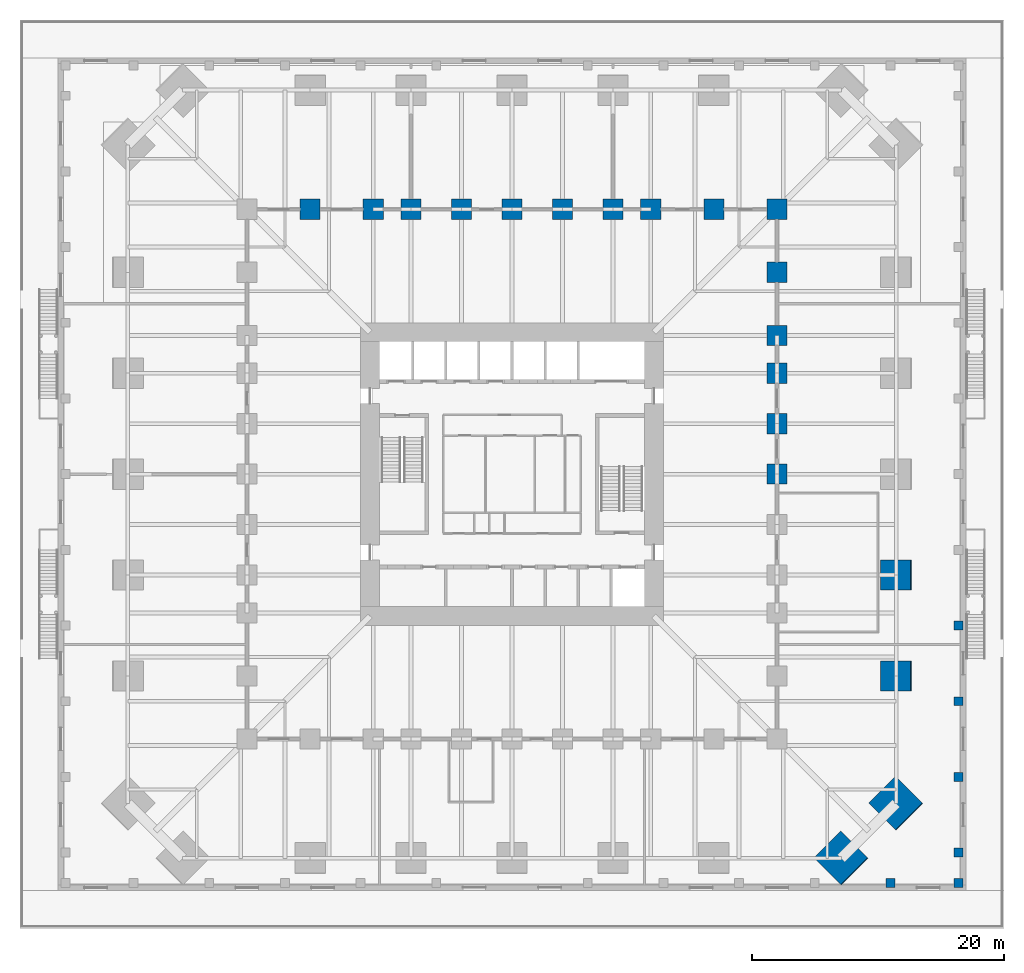
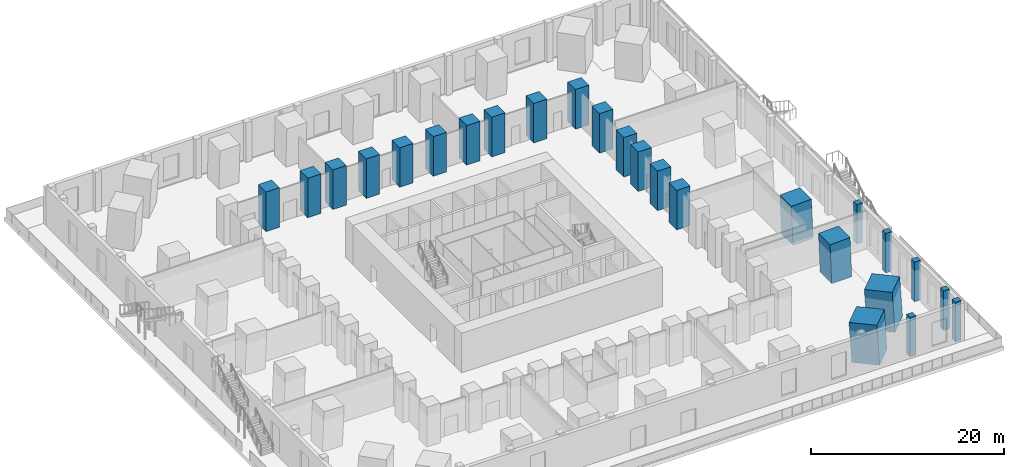
# One storey, part 5 of 20: 25 columns.
"""IFC4 building model written with IfcOpenShell, lengths in metres."""

import ifcopenshell
import ifcopenshell.guid

model = None  # the IFC model being written
_history = None  # IfcOwnerHistory: only IFC2X3 demands one
_inside = {}  # id of a spatial element -> (the spatial element, [elements in it])
_under = {}  # id of a project, library or spatial element -> (it, [spatial elements below it])
_declared = {}  # id of a project -> (the project, [libraries it declares])
_typed = {}  # id of a type object -> (the type object, [elements of that type])
_made_of = {}  # id of a material, layer set ... -> (it, [elements and type objects made of it])


def new_model(schema):
    """Start an empty IFC model of exactly this schema.

    Asked for "IFC4X3", IfcOpenShell would pick the latest addendum, in which some entities
    have other attributes; the version numbers below select the first issue.
    IFC2X3 requires an IfcOwnerHistory on every rooted entity: one is made here for all.
    """
    global model, _history
    if schema == "IFC4X3":
        model = ifcopenshell.file(schema_version=(4, 3, 0, 0))
    else:
        model = ifcopenshell.file(schema=schema)
    _inside.clear()
    _under.clear()
    _declared.clear()
    _typed.clear()
    _made_of.clear()
    _history = None
    if model.schema == "IFC2X3":
        org = make("IfcOrganization", Name="unknown")
        user = make(
            "IfcPersonAndOrganization",
            ThePerson=make("IfcPerson", FamilyName="unknown"),
            TheOrganization=org,
        )
        app = make(
            "IfcApplication",
            ApplicationDeveloper=org,
            Version="unknown",
            ApplicationFullName="unknown",
            ApplicationIdentifier="unknown",
        )
        _history = make(
            "IfcOwnerHistory",
            OwningUser=user,
            OwningApplication=app,
            ChangeAction="ADDED",
            CreationDate=0,
        )
    return model


def make(cls, **values):
    """One entity of the class cls with the attributes given. An attribute that is None is left unset."""
    return model.create_entity(
        cls, **{name: value for name, value in values.items() if value is not None}
    )


def rooted(cls, **values):
    """An entity with a GlobalId (a new one), such as an element, a storey or a relation."""
    return make(cls, GlobalId=ifcopenshell.guid.new(), OwnerHistory=_history, **values)


def si_unit(unit_type, name, prefix=None):
    """IfcSIUnit, for example si_unit("LENGTHUNIT", "METRE", prefix="MILLI")."""
    return make("IfcSIUnit", UnitType=unit_type, Prefix=prefix, Name=name)


def assignment(units):
    """IfcUnitAssignment: the units of a project."""
    return None if units is None else make("IfcUnitAssignment", Units=units)


def point(xyz):
    """IfcCartesianPoint."""
    return None if xyz is None else make("IfcCartesianPoint", Coordinates=xyz)


def direction(xyz):
    """IfcDirection."""
    return None if xyz is None else make("IfcDirection", DirectionRatios=xyz)


def frame(location, z_axis=None, x_axis=None):
    """IfcAxis2Placement3D, a coordinate frame: its origin and axes. An axis left out is left unset."""
    return make(
        "IfcAxis2Placement3D",
        Location=point(location),
        Axis=direction(z_axis),
        RefDirection=direction(x_axis),
    )


def frame_2d(location, x_axis=None):
    """IfcAxis2Placement2D, a coordinate frame in the plane: its origin and x axis."""
    return make(
        "IfcAxis2Placement2D", Location=point(location), RefDirection=direction(x_axis)
    )


def origin():
    """The frame at (0, 0, 0) with its axes left unset."""
    return frame((0.0, 0.0, 0.0))


def origin_2d():
    """The frame at (0, 0) in the plane with its x axis left unset."""
    return frame_2d((0.0, 0.0))


def place(relative_to, where):
    """IfcLocalPlacement: puts the frame where relative to a parent placement (None: the world)."""
    return make(
        "IfcLocalPlacement", PlacementRelTo=relative_to, RelativePlacement=where
    )


def context(
    kind, dimensions, precision=None, world=None, true_north=None, identifier=None
):
    """IfcGeometricRepresentationContext, for example the 3D "Model" context."""
    return make(
        "IfcGeometricRepresentationContext",
        ContextIdentifier=identifier,
        ContextType=kind,
        CoordinateSpaceDimension=dimensions,
        Precision=precision,
        WorldCoordinateSystem=world,
        TrueNorth=true_north,
    )


def subcontext(parent, identifier, kind, view, scale=None):
    """IfcGeometricRepresentationSubContext, for example "Body" below "Model"."""
    return make(
        "IfcGeometricRepresentationSubContext",
        ContextIdentifier=identifier,
        ContextType=kind,
        ParentContext=parent,
        TargetScale=scale,
        TargetView=view,
    )


def project(units=None, contexts=None):
    """IfcProject with its units and contexts."""
    return rooted(
        "IfcProject",
        Name="project",
        RepresentationContexts=contexts,
        UnitsInContext=assignment(units),
    )


def spatial(cls, under=None, at=None, **own):
    """A site, building, storey or space (cls), placed at a placement, below another one or the project."""
    s = rooted(cls, ObjectPlacement=at, **own)
    if under is not None:
        _under.setdefault(under.id(), (under, []))[1].append(s)
    return s


def profile(cls, at=None, kind="AREA", **sizes):
    """A parametric profile (cls). Its sizes go by their IFC names, for example OverallWidth=200.0."""
    return make(cls, ProfileType=kind, Position=at, **sizes)


def rectangle(**sizes):
    """IfcRectangleProfileDef."""
    return profile("IfcRectangleProfileDef", **sizes)


def extrude(swept, where, along, depth):
    """IfcExtrudedAreaSolid: the profile swept, set in the frame where, extruded along a direction by depth."""
    return make(
        "IfcExtrudedAreaSolid",
        SweptArea=swept,
        Position=where,
        ExtrudedDirection=direction(along),
        Depth=depth,
    )


def shape(context_of_items, identifier, shape_type, items):
    """IfcShapeRepresentation: the items that make up one representation, for example the "Body"."""
    return make(
        "IfcShapeRepresentation",
        ContextOfItems=context_of_items,
        RepresentationIdentifier=identifier,
        RepresentationType=shape_type,
        Items=items,
    )


def material(Name=None, Category=None):
    """IfcMaterial."""
    return make("IfcMaterial", Name=Name, Category=Category)


def material_profile(
    of_material, cross_section, Name=None, Category=None, Priority=None
):
    """IfcMaterialProfile: a cross section and its material."""
    return make(
        "IfcMaterialProfile",
        Name=Name,
        Material=of_material,
        Profile=cross_section,
        Priority=Priority,
        Category=Category,
    )


def profile_set(profiles, Name=None, composite=None):
    """IfcMaterialProfileSet."""
    return make(
        "IfcMaterialProfileSet",
        Name=Name,
        MaterialProfiles=profiles,
        CompositeProfile=composite,
    )


def made_of(thing, what):
    """Note that an element or type object is made of a material, layer set ...; save() writes the relation."""
    if what is not None:
        _made_of.setdefault(what.id(), (what, []))[1].append(thing)
    return thing


def type_object(cls, material=None, **own):
    """A type object (cls), such as IfcWallType, which elements share."""
    return made_of(rooted(cls, **own), material)


def element(
    cls,
    number,
    at=None,
    inside=None,
    cuts=None,
    type_object=None,
    material=None,
    context=None,
    identifier="Body",
    shape_type=None,
    held_by="IfcProductDefinitionShape",
    body=None,
    shapes=None,
    **own,
):
    """One element of the class cls, such as IfcWall. Its Tag is "e" and its number.

    at: its placement. inside: the storey or other place that contains it. cuts: it is an
    opening in that element (IfcRelVoidsElement). A single representation is given by context,
    identifier, shape_type and body (its items); several are given by shapes. held_by: the class
    of the entity that holds the representations. save() writes the other relations.
    """
    e = rooted(cls, Tag="e%d" % number, ObjectPlacement=at, **own)
    if body is not None:
        shapes = [shape(context, identifier, shape_type, body)]
    if shapes is not None:
        e.Representation = make(held_by, Representations=shapes)
    if inside is not None:
        _inside.setdefault(inside.id(), (inside, []))[1].append(e)
    if cuts is not None:
        rooted(
            "IfcRelVoidsElement", RelatingBuildingElement=cuts, RelatedOpeningElement=e
        )
    if type_object is not None:
        _typed.setdefault(type_object.id(), (type_object, []))[1].append(e)
    return made_of(e, material)


def aggregate(whole, parts):
    """IfcRelAggregates: a whole, such as a stair, and the parts it consists of."""
    return rooted("IfcRelAggregates", RelatingObject=whole, RelatedObjects=parts)


def save(model, path):
    """Write the relations noted so far, then the file.

    IfcRelAggregates (storeys below a building ...), IfcRelContainedInSpatialStructure (elements
    in a storey), IfcRelDefinesByType, IfcRelAssociatesMaterial and IfcRelDeclares: one each for
    every whole, place, type object, material and project.
    """
    for whole, parts in _under.values():
        aggregate(whole, parts)
    for where, things in _inside.values():
        rooted(
            "IfcRelContainedInSpatialStructure",
            RelatedElements=things,
            RelatingStructure=where,
        )
    for kind, things in _typed.values():
        rooted("IfcRelDefinesByType", RelatedObjects=things, RelatingType=kind)
    for what, things in _made_of.values():
        rooted("IfcRelAssociatesMaterial", RelatedObjects=things, RelatingMaterial=what)
    for by, libraries in _declared.values():
        rooted("IfcRelDeclares", RelatingContext=by, RelatedDefinitions=libraries)
    model.write(path)


model = new_model("IFC4")

# Units and contexts
model_context = context("Model", 3, precision=1e-05, world=origin(), true_north=direction((0.0, 1.0)))
body_context = subcontext(model_context, "Body", "Model", "MODEL_VIEW")
ifc_project = project(units=[si_unit("LENGTHUNIT", "METRE"), si_unit("AREAUNIT", "SQUARE_METRE"), si_unit("VOLUMEUNIT", "CUBIC_METRE"), si_unit("PLANEANGLEUNIT", "RADIAN"), si_unit("MASSUNIT", "GRAM", prefix="KILO")], contexts=[model_context])

# Site, building, storey
site_placement = place(None, origin())
site = spatial("IfcSite", under=ifc_project, at=site_placement, CompositionType="ELEMENT")
building_placement = place(site_placement, origin())
building = spatial("IfcBuilding", under=site, at=building_placement, Name="Peilmerk Tower", CompositionType="ELEMENT")
storey_placement = place(building_placement, frame((0.0, 0.0, 11.0)))
storey = spatial("IfcBuildingStorey", under=building, at=storey_placement, Name="L02", CompositionType="ELEMENT", Elevation=11.0)

# Columns
ifc_material_1 = material(Name="Concrete C90/105", Category="concrete")
ifc_material_profile_1 = material_profile(ifc_material_1, rectangle(XDim=3.0, YDim=3.0, at=origin_2d()), Name="RC 3000x3000")
ifc_profile_set_1 = profile_set([ifc_material_profile_1], Name="Concrete C90/105")
column_type_1 = type_object("IfcColumnType", Name="MC1 3000x3000 encased mega column", PredefinedType="COLUMN", material=ifc_profile_set_1)
for number, where, z_axis, x_axis, name in (
    (1, (30.453125, -26.103271484375, 0.0), (-0.04021791389, 0.040266662877, 0.998379244207), (-0.707534941396, -0.706678361564, 0.0), "Mega column MC1 SE_E L02"),
    (2, (26.103271484375, -30.453125, 0.0), (-0.040266662877, 0.04021791389, 0.998379244207), (-0.706678361564, -0.707534941396, 0.0), "Mega column MC1 SE_S L02"),
):
    element("IfcColumn", number, at=place(storey_placement, frame(where, z_axis=z_axis, x_axis=x_axis)), inside=storey, type_object=column_type_1, Name=name, PredefinedType="COLUMN", context=body_context, shape_type="SweptSolid", body=[
        extrude(rectangle(XDim=3.0, YDim=3.0, at=origin_2d()), origin(), (0.0, 0.0, 1.0), 5.008056640625),
    ])
ifc_material_2 = material(Name="Concrete C55/67", Category="concrete")
ifc_material_profile_2 = material_profile(ifc_material_2, rectangle(XDim=0.699951171875, YDim=0.699951171875, at=origin_2d()), Name="RC 700x700")
ifc_profile_set_2 = profile_set([ifc_material_profile_2], Name="Concrete C55/67")
column_type_2 = type_object("IfcColumnType", Name="PC1 700x700 podium column", PredefinedType="COLUMN", material=ifc_profile_set_2)
for number, where, z_axis, x_axis, name in (
    (3, (30.0, -32.39990234375, 0.0), (0.0, 0.0, 1.0), (1.0, 0.0, 0.0), "Podium column ring A L02"),
    (4, (35.39990234375, -32.39990234375, 0.0), (0.0, 0.0, 1.0), (1.0, 0.0, 0.0), "Podium column ring A L02"),
    (5, (35.39990234375, -30.0, 0.0), (0.0, 0.0, 1.0), (1.0, 0.0, 0.0), "Podium column ring A L02"),
    (6, (35.39990234375, -24.0, 0.0), (0.0, 0.0, 1.0), (1.0, 0.0, 0.0), "Podium column ring A L02"),
    (7, (35.39990234375, -18.0, 0.0), (0.0, 0.0, 1.0), (1.0, 0.0, 0.0), "Podium column ring A L02"),
    (8, (35.39990234375, -12.0, 0.0), (0.0, 0.0, 1.0), (1.0, 0.0, 0.0), "Podium column ring A L02"),
):
    element("IfcColumn", number, at=place(storey_placement, frame(where, z_axis=z_axis, x_axis=x_axis)), inside=storey, type_object=column_type_2, Name=name, PredefinedType="COLUMN", context=body_context, shape_type="SweptSolid", body=[
        extrude(rectangle(XDim=0.699951171875, YDim=0.699951171875, at=origin_2d()), origin(), (0.0, 0.0, 1.0), 5.0),
    ])
ifc_material_profile_3 = material_profile(ifc_material_1, rectangle(XDim=2.39990234375, YDim=2.39990234375, at=origin_2d()), Name="RC 2400x2400")
ifc_profile_set_3 = profile_set([ifc_material_profile_3], Name="Concrete C90/105")
column_type_3 = type_object("IfcColumnType", Name="SC1 2400x2400 encased perimeter column", PredefinedType="COLUMN", material=ifc_profile_set_3)
for number, where, z_axis, x_axis, name in (
    (9, (30.453125, -8.0, 0.0), (-0.040250558339, 0.0, 0.999189617917), (0.0, -1.0, 0.0), "Perimeter column E-8 L02"),
    (10, (30.453125, -16.0, 0.0), (-0.040250558339, 0.0, 0.999189617917), (0.0, -1.0, 0.0), "Perimeter column E-16 L02"),
):
    element("IfcColumn", number, at=place(storey_placement, frame(where, z_axis=z_axis, x_axis=x_axis)), inside=storey, type_object=column_type_3, Name=name, PredefinedType="COLUMN", context=body_context, shape_type="SweptSolid", body=[
        extrude(rectangle(XDim=2.39990234375, YDim=2.39990234375, at=origin_2d()), origin(), (0.0, 0.0, 1.0), 5.004150390625),
    ])
ifc_material_profile_4 = material_profile(ifc_material_1, rectangle(XDim=1.60009765625, YDim=1.60009765625, at=origin_2d()), Name="RC 1600x1600")
ifc_profile_set_4 = profile_set([ifc_material_profile_4], Name="Concrete C90/105")
column_type_4 = type_object("IfcColumnType", Name="SC2 1600x1600 encased interior column", PredefinedType="COLUMN", material=ifc_profile_set_4)
for number, where, z_axis, x_axis, name in (
    (11, (0.0, 21.0, 0.0), (0.0, 0.0, 1.0), (1.0, 0.0, 0.0), "Interior column N+0 L02"),
    (12, (4.0, 21.0, 0.0), (0.0, 0.0, 1.0), (1.0, 0.0, 0.0), "Interior column N-4 L02"),
    (13, (-4.0, 21.0, 0.0), (0.0, 0.0, 1.0), (1.0, 0.0, 0.0), "Interior column N+4 L02"),
    (14, (8.0, 21.0, 0.0), (0.0, 0.0, 1.0), (1.0, 0.0, 0.0), "Interior column N-8 L02"),
    (15, (-8.0, 21.0, 0.0), (0.0, 0.0, 1.0), (1.0, 0.0, 0.0), "Interior column N+8 L02"),
    (16, (11.0, 21.0, 0.0), (0.0, 0.0, 1.0), (1.0, 0.0, 0.0), "Interior column N-11 L02"),
    (17, (-11.0, 21.0, 0.0), (0.0, 0.0, 1.0), (1.0, 0.0, 0.0), "Interior column N+11 L02"),
    (18, (16.0, 21.0, 0.0), (0.0, 0.0, 1.0), (1.0, 0.0, 0.0), "Interior column N-16 L02"),
    (19, (-16.0, 21.0, 0.0), (0.0, 0.0, 1.0), (1.0, 0.0, 0.0), "Interior column N+16 L02"),
    (20, (21.0, 0.0, 0.0), (0.0, 0.0, 1.0), (1.0, 0.0, 0.0), "Interior column E+0 L02"),
    (21, (21.0, 4.0, 0.0), (0.0, 0.0, 1.0), (1.0, 0.0, 0.0), "Interior column E+4 L02"),
    (22, (21.0, 8.0, 0.0), (0.0, 0.0, 1.0), (1.0, 0.0, 0.0), "Interior column E+8 L02"),
    (23, (21.0, 11.0, 0.0), (0.0, 0.0, 1.0), (1.0, 0.0, 0.0), "Interior column E+11 L02"),
    (24, (21.0, 16.0, 0.0), (0.0, 0.0, 1.0), (1.0, 0.0, 0.0), "Interior column E+16 L02"),
    (25, (21.0, 21.0, 0.0), (0.0, 0.0, 1.0), (1.0, 0.0, 0.0), "Interior column NE L02"),
):
    element("IfcColumn", number, at=place(storey_placement, frame(where, z_axis=z_axis, x_axis=x_axis)), inside=storey, type_object=column_type_4, Name=name, PredefinedType="COLUMN", context=body_context, shape_type="SweptSolid", body=[
        extrude(rectangle(XDim=1.60009765625, YDim=1.60009765625, at=origin_2d()), origin(), (0.0, 0.0, 1.0), 5.0),
    ])

save(model, "model.ifc")
